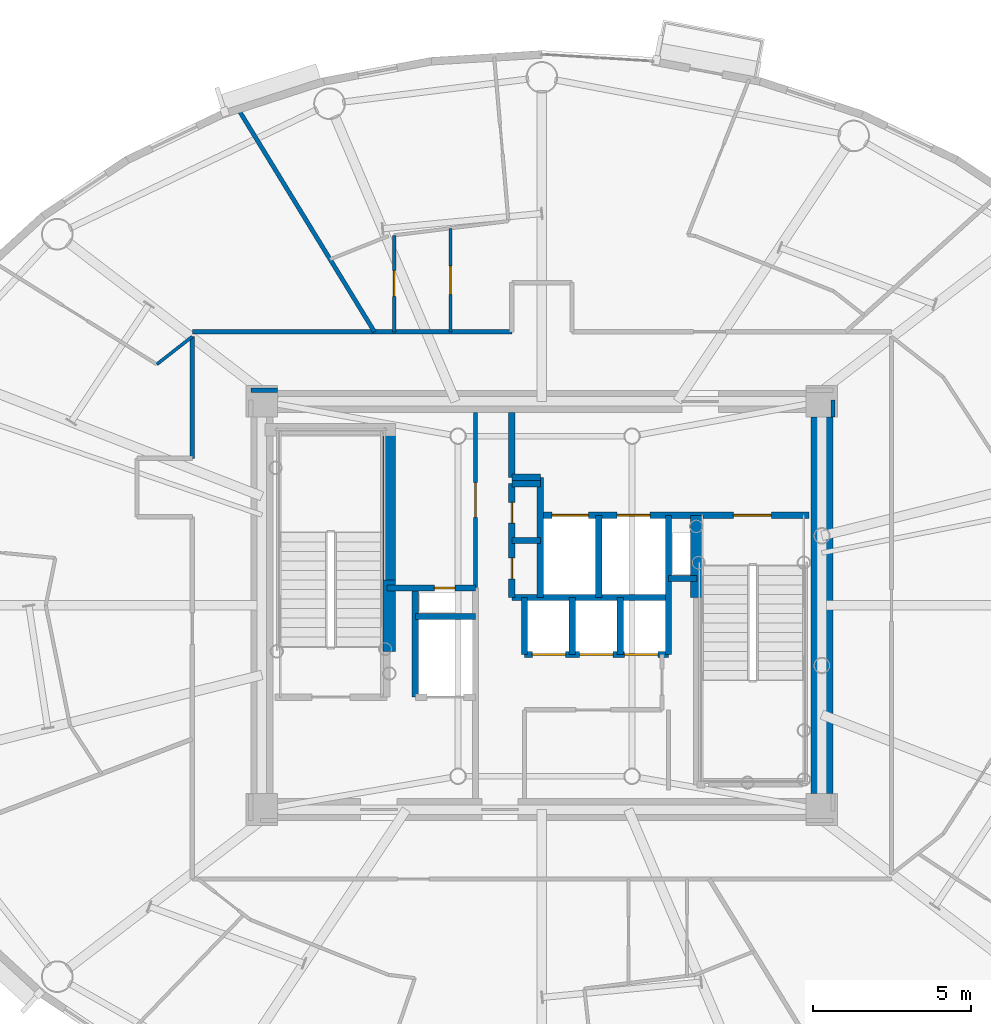
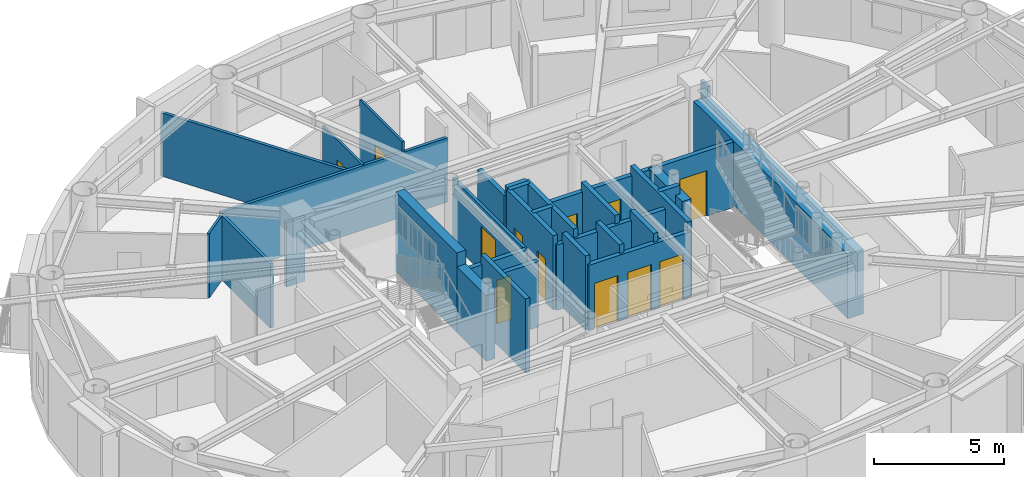
# One storey, part 9 of 18: 31 walls, 12 doors, 12 openings.
"""IFC4 building model written with IfcOpenShell, lengths in metres."""

from ifc_helpers import new_model, si_unit, direction, frame, frame_2d, origin, origin_2d, place, context, subcontext, project, spatial, rectangle, extrude, source, transform, mapped, material, layer, layer_set, type_object, element, fill, save


model = new_model("IFC4")

# Units and contexts
model_context = context("Model", 3, precision=1e-05, world=origin(), true_north=direction((0.0, 1.0)))
body_context = subcontext(model_context, "Body", "Model", "MODEL_VIEW")
ifc_project = project(units=[si_unit("LENGTHUNIT", "METRE"), si_unit("AREAUNIT", "SQUARE_METRE"), si_unit("VOLUMEUNIT", "CUBIC_METRE"), si_unit("PLANEANGLEUNIT", "RADIAN"), si_unit("MASSUNIT", "GRAM", prefix="KILO")], contexts=[model_context])

# Site, building, storey
site_placement = place(None, origin())
site = spatial("IfcSite", under=ifc_project, at=site_placement, CompositionType="ELEMENT")
building_placement = place(site_placement, origin())
building = spatial("IfcBuilding", under=site, at=building_placement, Name="Linh Dai School and Residence Tower", CompositionType="ELEMENT")
storey_placement = place(building_placement, frame((0.0, 0.0, 291.75)))
storey = spatial("IfcBuildingStorey", under=building, at=storey_placement, Name="L72", CompositionType="ELEMENT", Elevation=291.75)

# Walls
ifc_material_1 = material(Name="Autoclaved Aerated Concrete Blockwork", Category="masonry")
ifc_layer_1 = layer(ifc_material_1, 0.135009765625)
ifc_layer_set_1 = layer_set([ifc_layer_1], Name="Autoclaved Aerated Concrete Blockwork")
wall_type_1 = type_object("IfcWallType", Name="IW-CORR-135-EI90", PredefinedType="PARTITIONING", material=ifc_layer_set_1)
wall_1_placement = place(storey_placement, frame((24.949951171875, 31.64990234375, 0.0), z_axis=(0.0, 0.0, 1.0), x_axis=(0.0, 1.0, 0.0)))
element("IfcWall", 1, at=wall_1_placement, inside=storey, type_object=wall_type_1, Name="L72 Interior Partition Wall 016", PredefinedType="PARTITIONING", context=body_context, shape_type="SweptSolid", body=[
    extrude(rectangle(XDim=3.847412109375, YDim=0.135009765625, at=frame_2d((1.923828125, 0.0))), origin(), (0.0, 0.0, 1.0), 3.034912109375),
])
wall_2_placement = place(storey_placement, frame((24.949951171875, 35.64990234375, 0.0), z_axis=(0.0, 0.0, 1.0), x_axis=(1.0, 0.0, 0.0)))
element("IfcWall", 2, at=wall_2_placement, inside=storey, type_object=wall_type_1, Name="L72 Interior Partition Wall 017", PredefinedType="PARTITIONING", context=body_context, shape_type="SweptSolid", body=[
    extrude(rectangle(XDim=10.10009765625, YDim=0.135009765625, at=frame_2d((5.050048828125, 0.0))), origin(), (0.0, 0.0, 1.0), 3.034912109375),
])
wall_3_placement = place(storey_placement, frame((26.40185546875, 42.687744140625, 0.0), z_axis=(0.0, 0.0, 1.0), x_axis=(0.521891606098, -0.853011812043, 0.0)))
element("IfcWall", 3, at=wall_3_placement, inside=storey, type_object=wall_type_1, Name="L72 Interior Partition Wall 019", PredefinedType="PARTITIONING", context=body_context, shape_type="SweptSolid", body=[
    extrude(rectangle(XDim=8.25048828125, YDim=0.135009765625, at=frame_2d((4.125244140625, 0.0))), origin(), (0.0, 0.0, 1.0), 2.985107421875),
])

# Wall, opening, door
wall_4_placement = place(storey_placement, frame((33.89990234375, 27.56005859375, 0.0), z_axis=(0.0, 0.0, 1.0), x_axis=(0.0, 1.0, 0.0)))
wall_4 = element("IfcWall", 4, at=wall_4_placement, inside=storey, type_object=wall_type_1, Name="L72 Interior Partition Wall 034", PredefinedType="PARTITIONING", context=body_context, shape_type="SweptSolid", body=[
    extrude(rectangle(XDim=5.5400390625, YDim=0.135009765625, at=frame_2d((2.77001953125, 0.0))), origin(), (0.0, 0.0, 1.0), 3.0849609375),
])
opening_1_placement = place(wall_4_placement, frame((2.219970703125, 0.0, 0.0)))
opening_1 = element("IfcOpeningElement", 5, at=opening_1_placement, cuts=wall_4, Name="Opening D07", PredefinedType="OPENING", context=body_context, shape_type="SweptSolid", body=[
    extrude(rectangle(XDim=1.10009765625, YDim=2.14990234375, at=origin_2d()), frame((0.550048828125, 0.07763671875, 1.074951171875), z_axis=(0.0, -1.0, 0.0), x_axis=(1.0, 0.0, 0.0)), (0.0, 0.0, 1.0), 0.155029296875),
])
ifc_material_2 = material(Name="Fire-Rated Louvred Steel Plant Door", Category="steel")
door_type_1 = type_object("IfcDoorType", Name="DR-PLT-1100x2150-FD60S", OperationType="NOTDEFINED", PredefinedType="DOOR", material=ifc_material_2)
shared_shape_1 = source(origin(), body_context, "Body", "SweptSolid", [
    extrude(rectangle(XDim=1.10009765625, YDim=2.14990234375, at=origin_2d()), frame((0.550048828125, 0.02490234375, 1.074951171875), z_axis=(0.0, -1.0, 0.0), x_axis=(1.0, 0.0, 0.0)), (0.0, 0.0, 1.0), 0.050048828125),
])
door_1_placement = place(opening_1_placement, origin())
door_1 = element("IfcDoor", 6, at=door_1_placement, inside=storey, type_object=door_type_1, Name="L72 High-Zone Housekeeping Suite Door", OperationType="SINGLE_SWING_LEFT", OverallHeight=2.14990234375, OverallWidth=1.10009765625, PredefinedType="DOOR", context=body_context, shape_type="MappedRepresentation", body=[
    mapped(shared_shape_1, transform((0.0, 0.0, 0.0), x_axis=(1.0, 0.0, 0.0), y_axis=(0.0, 1.0, 0.0), z_axis=(0.0, 0.0, 1.0), scale=1.0)),
])
fill(opening_1, door_1)

# Walls
wall_5_placement = place(storey_placement, frame((27.639892578125, 33.800048828125, 0.0), z_axis=(0.0, 0.0, 1.0), x_axis=(-1.0, 0.0, 0.0)))
element("IfcWall", 7, at=wall_5_placement, inside=storey, type_object=wall_type_1, Name="L72 Interior Partition Wall 085", PredefinedType="PARTITIONING", context=body_context, shape_type="SweptSolid", body=[
    extrude(rectangle(XDim=0.83984375, YDim=0.135009765625, at=frame_2d((0.419921875, 0.0))), origin(), (0.0, 0.0, 1.0), 3.034912109375),
])
wall_6_placement = place(storey_placement, frame((45.199951171875, 32.9599609375, 0.0), z_axis=(0.0, 0.0, 1.0), x_axis=(0.0, 1.0, 0.0)))
element("IfcWall", 8, at=wall_6_placement, inside=storey, type_object=wall_type_1, Name="L72 Interior Partition Wall 091", PredefinedType="PARTITIONING", context=body_context, shape_type="SweptSolid", body=[
    extrude(rectangle(XDim=0.532470703125, YDim=0.135009765625, at=frame_2d((0.26611328125, 0.0))), origin(), (0.0, 0.0, 1.0), 3.5),
])

# Wall, opening, door
ifc_material_3 = material(Name="Concrete B45 (C35/45)", Category="concrete")
ifc_layer_2 = layer(ifc_material_3, 0.199951171875)
ifc_layer_set_2 = layer_set([ifc_layer_2], Name="Concrete B45 (C35/45)")
wall_type_2 = type_object("IfcWallType", Name="IW-SHAFT-200-EI120", PredefinedType="PARTITIONING", material=ifc_layer_set_2)
wall_7_placement = place(storey_placement, frame((31.10009765625, 27.550048828125, 0.0), z_axis=(0.0, 0.0, 1.0), x_axis=(1.0, 0.0, 0.0)))
wall_7 = element("IfcWall", 9, at=wall_7_placement, inside=storey, type_object=wall_type_2, Name="L72 Interior Partition Wall 025", PredefinedType="PARTITIONING", context=body_context, shape_type="SweptSolid", body=[
    extrude(rectangle(XDim=2.7998046875, YDim=0.199951171875, at=frame_2d((1.39990234375, 0.0))), origin(), (0.0, 0.0, 1.0), 3.0849609375),
])
opening_2_placement = place(wall_7_placement, frame((1.5, 0.0, 0.0)))
opening_2 = element("IfcOpeningElement", 10, at=opening_2_placement, cuts=wall_7, Name="Opening AD1", PredefinedType="OPENING", context=body_context, shape_type="SweptSolid", body=[
    extrude(rectangle(XDim=0.659912109375, YDim=2.050048828125, at=origin_2d()), frame((0.330078125, 0.10986328125, 1.02490234375), z_axis=(0.0, -1.0, 0.0), x_axis=(1.0, 0.0, 0.0)), (0.0, 0.0, 1.0), 0.219970703125),
])
ifc_material_4 = material(Name="Fire-Rated Steel Riser Access Door", Category="steel")
door_type_2 = type_object("IfcDoorType", Name="DR-ACC-660x2050-FD90S", OperationType="NOTDEFINED", PredefinedType="USERDEFINED", material=ifc_material_4)
shared_shape_2 = source(origin(), body_context, "Body", "SweptSolid", [
    extrude(rectangle(XDim=0.659912109375, YDim=2.050048828125, at=origin_2d()), frame((0.330078125, 0.02490234375, 1.02490234375), z_axis=(0.0, -1.0, 0.0), x_axis=(1.0, 0.0, 0.0)), (0.0, 0.0, 1.0), 0.050048828125),
])
door_2_placement = place(opening_2_placement, origin())
door_2 = element("IfcDoor", 11, at=door_2_placement, inside=storey, type_object=door_type_2, Name="L72 Main Electrical Riser Access Door", ObjectType="ACCESS DOOR", OperationType="SINGLE_SWING_LEFT", OverallHeight=2.050048828125, OverallWidth=0.659912109375, PredefinedType="USERDEFINED", context=body_context, shape_type="MappedRepresentation", body=[
    mapped(shared_shape_2, transform((0.0, 0.0, 0.0), x_axis=(1.0, 0.0, 0.0), y_axis=(0.0, 1.0, 0.0), z_axis=(0.0, 0.0, 1.0), scale=1.0)),
])
fill(opening_2, door_2)

# Walls
wall_8_placement = place(storey_placement, frame((32.0, 24.10009765625, 0.0), z_axis=(0.0, 0.0, 1.0), x_axis=(0.0, 1.0, 0.0)))
element("IfcWall", 12, at=wall_8_placement, inside=storey, type_object=wall_type_2, Name="L72 Interior Partition Wall 029", PredefinedType="PARTITIONING", context=body_context, shape_type="SweptSolid", body=[
    extrude(rectangle(XDim=3.449951171875, YDim=0.199951171875, at=frame_2d((1.72509765625, 0.0))), origin(), (0.0, 0.0, 1.0), 3.5),
])
wall_9_placement = place(storey_placement, frame((32.0, 26.64990234375, 0.0), z_axis=(0.0, 0.0, 1.0), x_axis=(1.0, 0.0, 0.0)))
element("IfcWall", 13, at=wall_9_placement, inside=storey, type_object=wall_type_2, Name="L72 Interior Partition Wall 031", PredefinedType="PARTITIONING", context=body_context, shape_type="SweptSolid", body=[
    extrude(rectangle(XDim=1.89990234375, YDim=0.199951171875, at=frame_2d((0.949951171875, 0.0))), origin(), (0.0, 0.0, 1.0), 3.0849609375),
])

# Wall, openings, doors
wall_10_placement = place(storey_placement, frame((35.050048828125, 27.25, 0.0), z_axis=(0.0, 0.0, 1.0), x_axis=(0.0, 1.0, 0.0)))
wall_10 = element("IfcWall", 14, at=wall_10_placement, inside=storey, type_object=wall_type_2, Name="L72 Interior Partition Wall 036", PredefinedType="PARTITIONING", context=body_context, shape_type="SweptSolid", body=[
    extrude(rectangle(XDim=3.60009765625, YDim=0.199951171875, at=frame_2d((1.800048828125, 0.0))), origin(), (0.0, 0.0, 1.0), 3.5),
])
opening_3_placement = place(wall_10_placement, frame((0.590087890625, 0.0, 0.0)))
opening_3 = element("IfcOpeningElement", 15, at=opening_3_placement, cuts=wall_10, Name="Opening AD1", PredefinedType="OPENING", context=body_context, shape_type="SweptSolid", body=[
    extrude(rectangle(XDim=0.659912109375, YDim=2.050048828125, at=origin_2d()), frame((0.330078125, 0.10986328125, 1.02490234375), z_axis=(0.0, -1.0, 0.0), x_axis=(1.0, 0.0, 0.0)), (0.0, 0.0, 1.0), 0.219970703125),
])
opening_4_placement = place(wall_10_placement, frame((2.35009765625, 0.0, 0.0)))
opening_4 = element("IfcOpeningElement", 16, at=opening_4_placement, cuts=wall_10, Name="Opening AD1", PredefinedType="OPENING", context=body_context, shape_type="SweptSolid", body=[
    extrude(rectangle(XDim=0.659912109375, YDim=2.050048828125, at=origin_2d()), frame((0.330078125, 0.10986328125, 1.02490234375), z_axis=(0.0, -1.0, 0.0), x_axis=(1.0, 0.0, 0.0)), (0.0, 0.0, 1.0), 0.219970703125),
])
door_3_placement = place(opening_3_placement, origin())
door_3 = element("IfcDoor", 17, at=door_3_placement, inside=storey, type_object=door_type_2, Name="L72 Telecom and Data Riser Access Door", ObjectType="ACCESS DOOR", OperationType="SINGLE_SWING_RIGHT", OverallHeight=2.050048828125, OverallWidth=0.659912109375, PredefinedType="USERDEFINED", context=body_context, shape_type="MappedRepresentation", body=[
    mapped(shared_shape_2, transform((0.0, 0.0, 0.0), x_axis=(1.0, 0.0, 0.0), y_axis=(0.0, 1.0, 0.0), z_axis=(0.0, 0.0, 1.0), scale=1.0)),
])
fill(opening_3, door_3)
door_4_placement = place(opening_4_placement, origin())
door_4 = element("IfcDoor", 18, at=door_4_placement, inside=storey, type_object=door_type_2, Name="L72 Mechanical and Plumbing Riser Access Door", ObjectType="ACCESS DOOR", OperationType="SINGLE_SWING_LEFT", OverallHeight=2.050048828125, OverallWidth=0.659912109375, PredefinedType="USERDEFINED", context=body_context, shape_type="MappedRepresentation", body=[
    mapped(shared_shape_2, transform((0.0, 0.0, 0.0), x_axis=(1.0, 0.0, 0.0), y_axis=(0.0, 1.0, 0.0), z_axis=(0.0, 0.0, 1.0), scale=1.0)),
])
fill(opening_4, door_4)

# Walls
wall_11_placement = place(storey_placement, frame((35.050048828125, 27.25, 0.0), z_axis=(0.0, 0.0, 1.0), x_axis=(1.0, 0.0, 0.0)))
element("IfcWall", 19, at=wall_11_placement, inside=storey, type_object=wall_type_2, Name="L72 Interior Partition Wall 037", PredefinedType="PARTITIONING", context=body_context, shape_type="SweptSolid", body=[
    extrude(rectangle(XDim=4.949951171875, YDim=0.199951171875, at=frame_2d((2.47509765625, 0.0))), origin(), (0.0, 0.0, 1.0), 3.0849609375),
])
for number, where, z_axis, x_axis, name in (
    (20, (35.050048828125, 29.050048828125, 0.0), (0.0, 0.0, 1.0), (1.0, 0.0, 0.0), "L72 Interior Partition Wall 038"),
    (21, (35.050048828125, 30.85009765625, 0.0), (0.0, 0.0, 1.0), (1.0, 0.0, 0.0), "L72 Interior Partition Wall 039"),
):
    element("IfcWall", number, at=place(storey_placement, frame(where, z_axis=z_axis, x_axis=x_axis)), inside=storey, type_object=wall_type_2, Name=name, PredefinedType="PARTITIONING", context=body_context, shape_type="SweptSolid", body=[
        extrude(rectangle(XDim=0.89990234375, YDim=0.199951171875, at=frame_2d((0.449951171875, 0.0))), origin(), (0.0, 0.0, 1.0), 3.5),
    ])
wall_12_placement = place(storey_placement, frame((35.050048828125, 31.050048828125, 0.0), z_axis=(0.0, 0.0, 1.0), x_axis=(0.0, 1.0, 0.0)))
element("IfcWall", 22, at=wall_12_placement, inside=storey, type_object=wall_type_2, Name="L72 Interior Partition Wall 040", PredefinedType="PARTITIONING", context=body_context, shape_type="SweptSolid", body=[
    extrude(rectangle(XDim=2.050048828125, YDim=0.199951171875, at=frame_2d((1.02490234375, 0.0))), origin(), (0.0, 0.0, 1.0), 3.0849609375),
])
wall_13_placement = place(storey_placement, frame((35.050048828125, 31.050048828125, 0.0), z_axis=(0.0, 0.0, 1.0), x_axis=(1.0, 0.0, 0.0)))
element("IfcWall", 23, at=wall_13_placement, inside=storey, type_object=wall_type_2, Name="L72 Interior Partition Wall 041", PredefinedType="PARTITIONING", context=body_context, shape_type="SweptSolid", body=[
    extrude(rectangle(XDim=0.89990234375, YDim=0.199951171875, at=frame_2d((0.449951171875, 0.0))), origin(), (0.0, 0.0, 1.0), 3.5),
])
wall_14_placement = place(storey_placement, frame((35.449951171875, 25.449951171875, 0.0), z_axis=(0.0, 0.0, 1.0), x_axis=(0.0, 1.0, 0.0)))
element("IfcWall", 24, at=wall_14_placement, inside=storey, type_object=wall_type_2, Name="L72 Interior Partition Wall 046", PredefinedType="PARTITIONING", context=body_context, shape_type="SweptSolid", body=[
    extrude(rectangle(XDim=1.800048828125, YDim=0.199951171875, at=frame_2d((0.89990234375, 0.0))), origin(), (0.0, 0.0, 1.0), 3.5),
])

# Wall, openings, doors
wall_15_placement = place(storey_placement, frame((35.449951171875, 25.449951171875, 0.0), z_axis=(0.0, 0.0, 1.0), x_axis=(1.0, 0.0, 0.0)))
wall_15 = element("IfcWall", 25, at=wall_15_placement, inside=storey, type_object=wall_type_2, Name="L72 Interior Partition Wall 047", PredefinedType="PARTITIONING", context=body_context, shape_type="SweptSolid", body=[
    extrude(rectangle(XDim=4.550048828125, YDim=0.199951171875, at=frame_2d((2.27490234375, 0.0))), origin(), (0.0, 0.0, 1.0), 3.0849609375),
])
opening_5_placement = place(wall_15_placement, frame((0.25, 0.0, 0.0)))
opening_5 = element("IfcOpeningElement", 26, at=opening_5_placement, cuts=wall_15, Name="Opening LD-PL7", PredefinedType="OPENING", context=body_context, shape_type="SweptSolid", body=[
    extrude(rectangle(XDim=1.050048828125, YDim=2.14990234375, at=origin_2d()), frame((0.52490234375, 0.10986328125, 1.074951171875), z_axis=(0.0, -1.0, 0.0), x_axis=(1.0, 0.0, 0.0)), (0.0, 0.0, 1.0), 0.219970703125),
])
opening_6_placement = place(wall_15_placement, frame((1.7451171875, 0.0, 0.0)))
opening_6 = element("IfcOpeningElement", 27, at=opening_6_placement, cuts=wall_15, Name="Opening LD-PL8", PredefinedType="OPENING", context=body_context, shape_type="SweptSolid", body=[
    extrude(rectangle(XDim=1.050048828125, YDim=2.14990234375, at=origin_2d()), frame((0.52490234375, 0.10986328125, 1.074951171875), z_axis=(0.0, -1.0, 0.0), x_axis=(1.0, 0.0, 0.0)), (0.0, 0.0, 1.0), 0.219970703125),
])
opening_7_placement = place(wall_15_placement, frame((3.1650390625, 0.0, 0.0)))
opening_7 = element("IfcOpeningElement", 28, at=opening_7_placement, cuts=wall_15, Name="Opening LD-PL9", PredefinedType="OPENING", context=body_context, shape_type="SweptSolid", body=[
    extrude(rectangle(XDim=1.050048828125, YDim=2.14990234375, at=origin_2d()), frame((0.52490234375, 0.10986328125, 1.074951171875), z_axis=(0.0, -1.0, 0.0), x_axis=(1.0, 0.0, 0.0)), (0.0, 0.0, 1.0), 0.219970703125),
])
ifc_material_5 = material(Name="Brushed Stainless Steel Lift Landing Door", Category="steel")
door_type_3 = type_object("IfcDoorType", Name="DR-LD-PASS-1050x2150", OperationType="DOUBLE_DOOR_SLIDING", PredefinedType="USERDEFINED", material=ifc_material_5)
shared_shape_3 = source(origin(), body_context, "Body", "SweptSolid", [
    extrude(rectangle(XDim=1.050048828125, YDim=2.14990234375, at=origin_2d()), frame((0.52490234375, 0.02490234375, 1.074951171875), z_axis=(0.0, -1.0, 0.0), x_axis=(1.0, 0.0, 0.0)), (0.0, 0.0, 1.0), 0.050048828125),
])
door_5_placement = place(opening_5_placement, origin())
door_5 = element("IfcDoor", 29, at=door_5_placement, inside=storey, type_object=door_type_3, Name="L72 Lift PL7 Sliding Landing Door", ObjectType="LANDING DOOR", OperationType="DOUBLE_DOOR_SLIDING", OverallHeight=2.14990234375, OverallWidth=1.050048828125, PredefinedType="USERDEFINED", context=body_context, shape_type="MappedRepresentation", body=[
    mapped(shared_shape_3, transform((0.0, 0.0, 0.0), x_axis=(1.0, 0.0, 0.0), y_axis=(0.0, 1.0, 0.0), z_axis=(0.0, 0.0, 1.0), scale=1.0)),
])
fill(opening_5, door_5)
door_6_placement = place(opening_6_placement, origin())
door_6 = element("IfcDoor", 30, at=door_6_placement, inside=storey, type_object=door_type_3, Name="L72 Lift PL8 Sliding Landing Door", ObjectType="LANDING DOOR", OperationType="DOUBLE_DOOR_SLIDING", OverallHeight=2.14990234375, OverallWidth=1.050048828125, PredefinedType="USERDEFINED", context=body_context, shape_type="MappedRepresentation", body=[
    mapped(shared_shape_3, transform((0.0, 0.0, 0.0), x_axis=(1.0, 0.0, 0.0), y_axis=(0.0, 1.0, 0.0), z_axis=(0.0, 0.0, 1.0), scale=1.0)),
])
fill(opening_6, door_6)
door_7_placement = place(opening_7_placement, origin())
door_7 = element("IfcDoor", 31, at=door_7_placement, inside=storey, type_object=door_type_3, Name="L72 Lift PL9 Sliding Landing Door", ObjectType="LANDING DOOR", OperationType="DOUBLE_DOOR_SLIDING", OverallHeight=2.14990234375, OverallWidth=1.050048828125, PredefinedType="USERDEFINED", context=body_context, shape_type="MappedRepresentation", body=[
    mapped(shared_shape_3, transform((0.0, 0.0, 0.0), x_axis=(1.0, 0.0, 0.0), y_axis=(0.0, 1.0, 0.0), z_axis=(0.0, 0.0, 1.0), scale=1.0)),
])
fill(opening_7, door_7)

# Wall
wall_16_placement = place(storey_placement, frame((35.949951171875, 27.25, 0.0), z_axis=(0.0, 0.0, 1.0), x_axis=(0.0, 1.0, 0.0)))
element("IfcWall", 32, at=wall_16_placement, inside=storey, type_object=wall_type_2, Name="L72 Interior Partition Wall 048", PredefinedType="PARTITIONING", context=body_context, shape_type="SweptSolid", body=[
    extrude(rectangle(XDim=3.800048828125, YDim=0.199951171875, at=frame_2d((1.89990234375, 0.0))), origin(), (0.0, 0.0, 1.0), 3.5),
])

# Wall, openings, doors
wall_17_placement = place(storey_placement, frame((35.949951171875, 29.85009765625, 0.0), z_axis=(0.0, 0.0, 1.0), x_axis=(1.0, 0.0, 0.0)))
wall_17 = element("IfcWall", 33, at=wall_17_placement, inside=storey, type_object=wall_type_2, Name="L72 Interior Partition Wall 049", PredefinedType="PARTITIONING", context=body_context, shape_type="SweptSolid", body=[
    extrude(rectangle(XDim=8.489990234375, YDim=0.199951171875, at=frame_2d((4.2451171875, 0.0))), origin(), (0.0, 0.0, 1.0), 3.0849609375),
])
opening_8_placement = place(wall_17_placement, frame((6.10009765625, 0.0, 0.0)))
opening_8 = element("IfcOpeningElement", 34, at=opening_8_placement, cuts=wall_17, Name="Opening D01", PredefinedType="OPENING", context=body_context, shape_type="SweptSolid", body=[
    extrude(rectangle(XDim=1.199951171875, YDim=2.14990234375, at=origin_2d()), frame((0.60009765625, 0.10986328125, 1.074951171875), z_axis=(0.0, -1.0, 0.0), x_axis=(1.0, 0.0, 0.0)), (0.0, 0.0, 1.0), 0.219970703125),
])
opening_9_placement = place(wall_17_placement, frame((0.3701171875, 0.0, 0.0)))
opening_9 = element("IfcOpeningElement", 35, at=opening_9_placement, cuts=wall_17, Name="Opening LD-FF1", PredefinedType="OPENING", context=body_context, shape_type="SweptSolid", body=[
    extrude(rectangle(XDim=1.14990234375, YDim=2.14990234375, at=origin_2d()), frame((0.574951171875, 0.10986328125, 1.074951171875), z_axis=(0.0, -1.0, 0.0), x_axis=(1.0, 0.0, 0.0)), (0.0, 0.0, 1.0), 0.219970703125),
])
opening_10_placement = place(wall_17_placement, frame((2.425048828125, 0.0, 0.0)))
opening_10 = element("IfcOpeningElement", 36, at=opening_10_placement, cuts=wall_17, Name="Opening LD-SV1", PredefinedType="OPENING", context=body_context, shape_type="SweptSolid", body=[
    extrude(rectangle(XDim=1.050048828125, YDim=2.14990234375, at=origin_2d()), frame((0.52490234375, 0.10986328125, 1.074951171875), z_axis=(0.0, -1.0, 0.0), x_axis=(1.0, 0.0, 0.0)), (0.0, 0.0, 1.0), 0.219970703125),
])
ifc_material_6 = material(Name="Fire-Rated Steel Door Leaf", Category="steel")
door_type_4 = type_object("IfcDoorType", Name="DR-STAIR-1200x2150-FD90S", OperationType="NOTDEFINED", PredefinedType="DOOR", material=ifc_material_6)
shared_shape_4 = source(origin(), body_context, "Body", "SweptSolid", [
    extrude(rectangle(XDim=1.199951171875, YDim=2.14990234375, at=origin_2d()), frame((0.60009765625, 0.02490234375, 1.074951171875), z_axis=(0.0, -1.0, 0.0), x_axis=(1.0, 0.0, 0.0)), (0.0, 0.0, 1.0), 0.050048828125),
])
door_8_placement = place(opening_8_placement, origin())
door_8 = element("IfcDoor", 37, at=door_8_placement, inside=storey, type_object=door_type_4, Name="L72 Core Smokeproof Exit Stair ST2 Door", OperationType="SINGLE_SWING_LEFT", OverallHeight=2.14990234375, OverallWidth=1.199951171875, PredefinedType="DOOR", context=body_context, shape_type="MappedRepresentation", body=[
    mapped(shared_shape_4, transform((0.0, 0.0, 0.0), x_axis=(1.0, 0.0, 0.0), y_axis=(0.0, 1.0, 0.0), z_axis=(0.0, 0.0, 1.0), scale=1.0)),
])
fill(opening_8, door_8)
ifc_material_7 = material(Name="Fire-Rated Stainless Steel Firefighting Lift Door", Category="steel")
door_type_5 = type_object("IfcDoorType", Name="DR-LD-FF-1150x2150-FD120", OperationType="DOUBLE_DOOR_SLIDING", PredefinedType="USERDEFINED", material=ifc_material_7)
shared_shape_5 = source(origin(), body_context, "Body", "SweptSolid", [
    extrude(rectangle(XDim=1.14990234375, YDim=2.14990234375, at=origin_2d()), frame((0.574951171875, 0.02490234375, 1.074951171875), z_axis=(0.0, -1.0, 0.0), x_axis=(1.0, 0.0, 0.0)), (0.0, 0.0, 1.0), 0.050048828125),
])
door_9_placement = place(opening_9_placement, origin())
door_9 = element("IfcDoor", 38, at=door_9_placement, inside=storey, type_object=door_type_5, Name="L72 Lift FF1 Sliding Landing Door", ObjectType="LANDING DOOR", OperationType="DOUBLE_DOOR_SLIDING", OverallHeight=2.14990234375, OverallWidth=1.14990234375, PredefinedType="USERDEFINED", context=body_context, shape_type="MappedRepresentation", body=[
    mapped(shared_shape_5, transform((0.0, 0.0, 0.0), x_axis=(1.0, 0.0, 0.0), y_axis=(0.0, 1.0, 0.0), z_axis=(0.0, 0.0, 1.0), scale=1.0)),
])
fill(opening_9, door_9)
door_10_placement = place(opening_10_placement, origin())
door_10 = element("IfcDoor", 39, at=door_10_placement, inside=storey, type_object=door_type_3, Name="L72 Lift SV1 Sliding Landing Door", ObjectType="LANDING DOOR", OperationType="DOUBLE_DOOR_SLIDING", OverallHeight=2.14990234375, OverallWidth=1.050048828125, PredefinedType="USERDEFINED", context=body_context, shape_type="MappedRepresentation", body=[
    mapped(shared_shape_3, transform((0.0, 0.0, 0.0), x_axis=(1.0, 0.0, 0.0), y_axis=(0.0, 1.0, 0.0), z_axis=(0.0, 0.0, 1.0), scale=1.0)),
])
fill(opening_10, door_10)

# Walls
wall_18_placement = place(storey_placement, frame((36.9599609375, 25.449951171875, 0.0), z_axis=(0.0, 0.0, 1.0), x_axis=(0.0, 1.0, 0.0)))
element("IfcWall", 40, at=wall_18_placement, inside=storey, type_object=wall_type_2, Name="L72 Interior Partition Wall 052", PredefinedType="PARTITIONING", context=body_context, shape_type="SweptSolid", body=[
    extrude(rectangle(XDim=1.800048828125, YDim=0.199951171875, at=frame_2d((0.89990234375, 0.0))), origin(), (0.0, 0.0, 1.0), 3.5),
])
wall_19_placement = place(storey_placement, frame((37.800048828125, 27.25, 0.0), z_axis=(0.0, 0.0, 1.0), x_axis=(0.0, 1.0, 0.0)))
element("IfcWall", 41, at=wall_19_placement, inside=storey, type_object=wall_type_2, Name="L72 Interior Partition Wall 055", PredefinedType="PARTITIONING", context=body_context, shape_type="SweptSolid", body=[
    extrude(rectangle(XDim=2.60009765625, YDim=0.199951171875, at=frame_2d((1.300048828125, 0.0))), origin(), (0.0, 0.0, 1.0), 3.5),
])
wall_20_placement = place(storey_placement, frame((38.47998046875, 25.449951171875, 0.0), z_axis=(0.0, 0.0, 1.0), x_axis=(0.0, 1.0, 0.0)))
element("IfcWall", 42, at=wall_20_placement, inside=storey, type_object=wall_type_2, Name="L72 Interior Partition Wall 056", PredefinedType="PARTITIONING", context=body_context, shape_type="SweptSolid", body=[
    extrude(rectangle(XDim=1.800048828125, YDim=0.199951171875, at=frame_2d((0.89990234375, 0.0))), origin(), (0.0, 0.0, 1.0), 3.5),
])
wall_21_placement = place(storey_placement, frame((40.0, 25.449951171875, 0.0), z_axis=(0.0, 0.0, 1.0), x_axis=(0.0, 1.0, 0.0)))
element("IfcWall", 43, at=wall_21_placement, inside=storey, type_object=wall_type_2, Name="L72 Interior Partition Wall 059", PredefinedType="PARTITIONING", context=body_context, shape_type="SweptSolid", body=[
    extrude(rectangle(XDim=4.400146484375, YDim=0.199951171875, at=frame_2d((2.2001953125, 0.0))), origin(), (0.0, 0.0, 1.0), 3.5),
])
wall_22_placement = place(storey_placement, frame((40.0, 27.85009765625, 0.0), z_axis=(0.0, 0.0, 1.0), x_axis=(1.0, 0.0, 0.0)))
element("IfcWall", 44, at=wall_22_placement, inside=storey, type_object=wall_type_2, Name="L72 Interior Partition Wall 060", PredefinedType="PARTITIONING", context=body_context, shape_type="SweptSolid", body=[
    extrude(rectangle(XDim=0.89990234375, YDim=0.199951171875, at=frame_2d((0.449951171875, 0.0))), origin(), (0.0, 0.0, 1.0), 3.5),
])
ifc_material_8 = material(Name="Gypsum Plasterboard Acoustic Stud Partition", Category="masonry")
ifc_layer_3 = layer(ifc_material_8, 0.10009765625)
ifc_layer_set_3 = layer_set([ifc_layer_3], Name="Gypsum Plasterboard Acoustic Stud Partition")
wall_type_3 = type_object("IfcWallType", Name="IW-UNIT-100", PredefinedType="PARTITIONING", material=ifc_layer_set_3)
wall_23_placement = place(storey_placement, frame((23.830078125, 34.62060546875, 0.0), z_axis=(0.0, 0.0, 1.0), x_axis=(0.787407186809, 0.616433226037, 0.0)))
element("IfcWall", 45, at=wall_23_placement, inside=storey, type_object=wall_type_3, Name="L72 Interior Partition Wall 013", PredefinedType="PARTITIONING", context=body_context, shape_type="SweptSolid", body=[
    extrude(rectangle(XDim=1.422119140625, YDim=0.10009765625, at=frame_2d((0.7109375, 0.0))), origin(), (0.0, 0.0, 1.0), 3.034912109375),
])

# Wall, opening, door
wall_24_placement = place(storey_placement, frame((31.33251953125, 35.64990234375, 0.0), z_axis=(0.0, 0.0, 1.0), x_axis=(0.0, 1.0, 0.0)))
wall_24 = element("IfcWall", 46, at=wall_24_placement, inside=storey, type_object=wall_type_3, Name="L72 Interior Partition Wall 027", PredefinedType="PARTITIONING", context=body_context, shape_type="SweptSolid", body=[
    extrude(rectangle(XDim=3.04931640625, YDim=0.10009765625, at=frame_2d((1.524658203125, 0.0))), origin(), (0.0, 0.0, 1.0), 3.034912109375),
])
opening_11_placement = place(wall_24_placement, frame((1.114501953125, 0.0, 0.0)))
opening_11 = element("IfcOpeningElement", 47, at=opening_11_placement, cuts=wall_24, Name="Opening D06", PredefinedType="OPENING", context=body_context, shape_type="SweptSolid", body=[
    extrude(rectangle(XDim=0.820068359375, YDim=2.10009765625, at=origin_2d()), frame((0.41015625, 0.06005859375, 1.050048828125), z_axis=(0.0, -1.0, 0.0), x_axis=(1.0, 0.0, 0.0)), (0.0, 0.0, 1.0), 0.1201171875),
])
ifc_material_9 = material(Name="Moisture-Resistant Timber Bathroom Door", Category="wood")
door_type_6 = type_object("IfcDoorType", Name="DR-WET-820x2100", OperationType="NOTDEFINED", PredefinedType="DOOR", material=ifc_material_9)
shared_shape_6 = source(origin(), body_context, "Body", "SweptSolid", [
    extrude(rectangle(XDim=0.820068359375, YDim=2.10009765625, at=origin_2d()), frame((0.41015625, 0.02490234375, 1.050048828125), z_axis=(0.0, -1.0, 0.0), x_axis=(1.0, 0.0, 0.0)), (0.0, 0.0, 1.0), 0.050048828125),
])
door_11_placement = place(opening_11_placement, origin())
door_11 = element("IfcDoor", 48, at=door_11_placement, inside=storey, type_object=door_type_6, Name="L72 Apartment U7201 Bathroom 1 Door", OperationType="SINGLE_SWING_RIGHT", OverallHeight=2.10009765625, OverallWidth=0.820068359375, PredefinedType="DOOR", context=body_context, shape_type="MappedRepresentation", body=[
    mapped(shared_shape_6, transform((0.0, 0.0, 0.0), x_axis=(1.0, 0.0, 0.0), y_axis=(0.0, 1.0, 0.0), z_axis=(0.0, 0.0, 1.0), scale=1.0)),
])
fill(opening_11, door_11)

wall_25_placement = place(storey_placement, frame((33.114990234375, 35.64990234375, 0.0), z_axis=(0.0, 0.0, 1.0), x_axis=(0.0, 1.0, 0.0)))
wall_25 = element("IfcWall", 49, at=wall_25_placement, inside=storey, type_object=wall_type_3, Name="L72 Interior Partition Wall 032", PredefinedType="PARTITIONING", context=body_context, shape_type="SweptSolid", body=[
    extrude(rectangle(XDim=3.270263671875, YDim=0.10009765625, at=frame_2d((1.63525390625, 0.0))), origin(), (0.0, 0.0, 1.0), 3.5),
])
opening_12_placement = place(wall_25_placement, frame((1.18505859375, 0.0, 0.0)))
opening_12 = element("IfcOpeningElement", 50, at=opening_12_placement, cuts=wall_25, Name="Opening D05", PredefinedType="OPENING", context=body_context, shape_type="SweptSolid", body=[
    extrude(rectangle(XDim=0.89990234375, YDim=2.10009765625, at=origin_2d()), frame((0.449951171875, 0.06005859375, 1.050048828125), z_axis=(0.0, -1.0, 0.0), x_axis=(1.0, 0.0, 0.0)), (0.0, 0.0, 1.0), 0.1201171875),
])
ifc_material_10 = material(Name="Engineered Timber Internal Door", Category="wood")
door_type_7 = type_object("IfcDoorType", Name="DR-INT-900x2100", OperationType="NOTDEFINED", PredefinedType="DOOR", material=ifc_material_10)
shared_shape_7 = source(origin(), body_context, "Body", "SweptSolid", [
    extrude(rectangle(XDim=0.89990234375, YDim=2.10009765625, at=origin_2d()), frame((0.449951171875, 0.02490234375, 1.050048828125), z_axis=(0.0, -1.0, 0.0), x_axis=(1.0, 0.0, 0.0)), (0.0, 0.0, 1.0), 0.050048828125),
])
door_12_placement = place(opening_12_placement, origin())
door_12 = element("IfcDoor", 51, at=door_12_placement, inside=storey, type_object=door_type_7, Name="L72 Apartment U7201 Kitchen Door", OperationType="SINGLE_SWING_LEFT", OverallHeight=2.10009765625, OverallWidth=0.89990234375, PredefinedType="DOOR", context=body_context, shape_type="MappedRepresentation", body=[
    mapped(shared_shape_7, transform((0.0, 0.0, 0.0), x_axis=(1.0, 0.0, 0.0), y_axis=(0.0, 1.0, 0.0), z_axis=(0.0, 0.0, 1.0), scale=1.0)),
])
fill(opening_12, door_12)

# Walls
ifc_layer_4 = layer(ifc_material_3, 0.39990234375)
ifc_layer_set_4 = layer_set([ifc_layer_4], Name="Concrete B45 (C35/45)")
wall_type_4 = type_object("IfcWallType", Name="WL-CORE400", PredefinedType="SHEAR", material=ifc_layer_set_4)
wall_26_placement = place(storey_placement, frame((31.179931640625, 27.800048828125, 0.0), z_axis=(0.0, 0.0, 1.0), x_axis=(0.0, 1.0, 0.0)))
element("IfcWall", 52, at=wall_26_placement, inside=storey, type_object=wall_type_4, Name="L72 Core Stair ST1 Bearing Wall E", PredefinedType="SHEAR", context=body_context, shape_type="SweptSolid", body=[
    extrude(rectangle(XDim=4.75, YDim=0.39990234375, at=frame_2d((2.375, 0.0))), origin(), (0.0, 0.0, 1.0), 3.75),
])
wall_27_placement = place(storey_placement, frame((31.179931640625, 25.550048828125, 0.0), z_axis=(0.0, 0.0, 1.0), x_axis=(0.0, 1.0, 0.0)))
element("IfcWall", 53, at=wall_27_placement, inside=storey, type_object=wall_type_4, Name="L72 Internal Core Shear Wall IW", PredefinedType="SHEAR", context=body_context, shape_type="SweptSolid", body=[
    extrude(rectangle(XDim=2.25, YDim=0.39990234375, at=frame_2d((1.125, 0.0))), origin(), (0.0, 0.0, 1.0), 3.10009765625),
])
wall_28_placement = place(storey_placement, frame((40.89990234375, 27.25, 0.0), z_axis=(0.0, 0.0, 1.0), x_axis=(0.0, 1.0, 0.0)))
element("IfcWall", 54, at=wall_28_placement, inside=storey, type_object=wall_type_4, Name="L72 Internal Core Shear Wall IE", PredefinedType="SHEAR", context=body_context, shape_type="SweptSolid", body=[
    extrude(rectangle(XDim=2.60009765625, YDim=0.39990234375, at=frame_2d((1.300048828125, 0.0))), origin(), (0.0, 0.0, 1.0), 3.10009765625),
])
ifc_layer_5 = layer(ifc_material_3, 0.699951171875)
ifc_layer_set_5 = layer_set([ifc_layer_5], Name="Concrete B45 (C35/45)")
wall_type_5 = type_object("IfcWallType", Name="WL-CORE700", PredefinedType="SHEAR", material=ifc_layer_set_5)
wall_29_placement = place(storey_placement, frame((44.85009765625, 32.949951171875, 0.0), z_axis=(0.0, 0.0, 1.0), x_axis=(0.0, -1.0, 0.0)))
element("IfcWall", 55, at=wall_29_placement, inside=storey, type_object=wall_type_5, Name="L72 Central Core Shear Wall E", PredefinedType="SHEAR", context=body_context, shape_type="SweptSolid", body=[
    extrude(rectangle(XDim=11.89990234375, YDim=0.699951171875, at=frame_2d((5.949951171875, 0.0))), origin(), (0.0, 0.0, 1.0), 3.050048828125),
])

save(model, "model.ifc")
